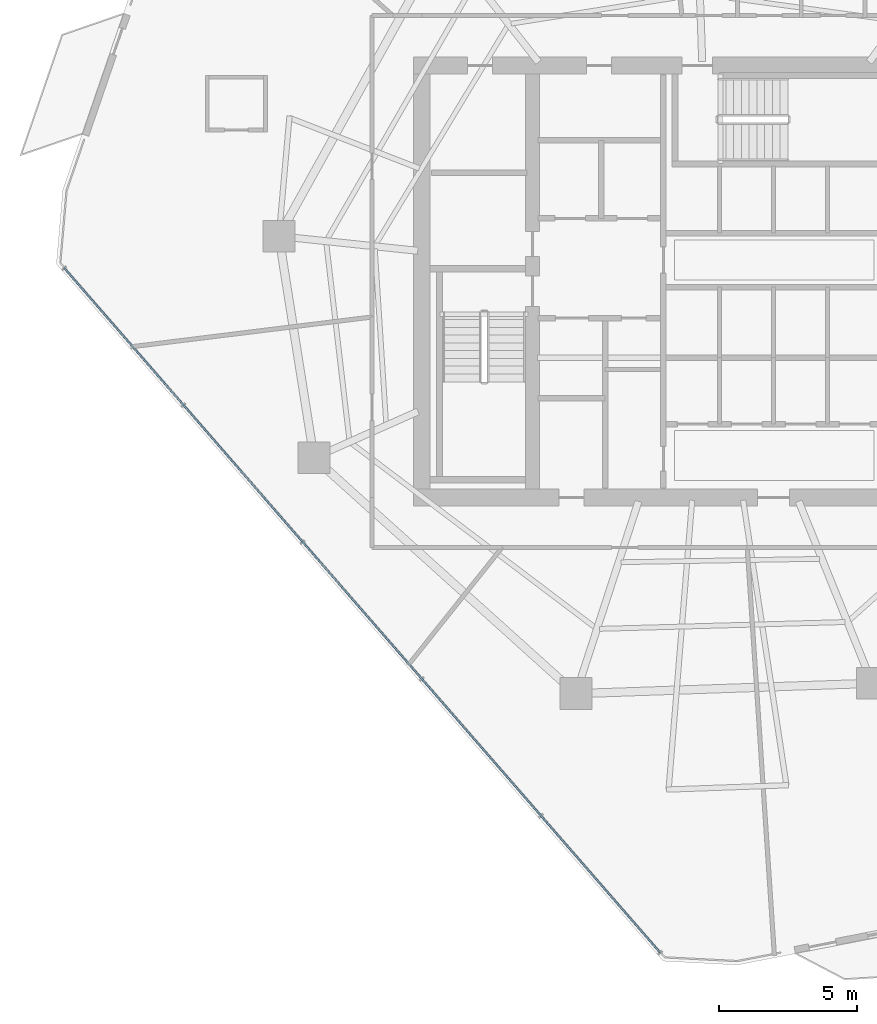
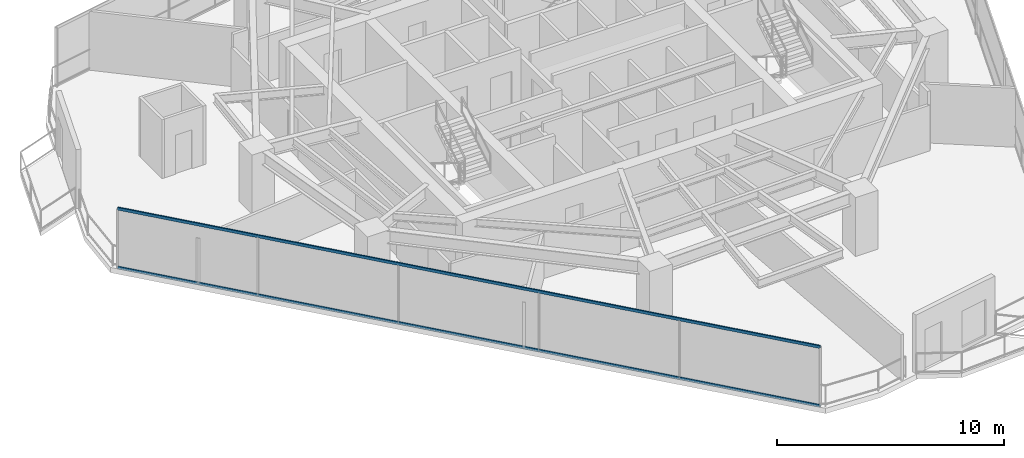
# One storey, part 3 of 27: 2 members, 1 element without a shape of its own.
"""IFC4 building model written with IfcOpenShell, lengths in metres."""

from ifc_helpers import new_model, si_unit, direction, frame, origin, origin_2d, place, context, subcontext, project, spatial, hollow_rectangle, extrude, material, layer, layer_set, material_profile, profile_set, type_object, element, aggregate, save


model = new_model("IFC4")

# Units and contexts
model_context = context("Model", 3, precision=1e-05, world=origin(), true_north=direction((0.0, 1.0)))
body_context = subcontext(model_context, "Body", "Model", "MODEL_VIEW")
ifc_project = project(units=[si_unit("LENGTHUNIT", "METRE"), si_unit("AREAUNIT", "SQUARE_METRE"), si_unit("VOLUMEUNIT", "CUBIC_METRE"), si_unit("PLANEANGLEUNIT", "RADIAN"), si_unit("MASSUNIT", "GRAM", prefix="KILO")], contexts=[model_context])

# Site, building, storey
site_placement = place(None, origin())
site = spatial("IfcSite", under=ifc_project, at=site_placement, CompositionType="ELEMENT")
building_placement = place(site_placement, origin())
building = spatial("IfcBuilding", under=site, at=building_placement, Name="Qarnah Convention Tower", CompositionType="ELEMENT")
storey_placement = place(building_placement, frame((0.0, 0.0, 107.39990234375)))
storey = spatial("IfcBuildingStorey", under=building, at=storey_placement, Name="L28", CompositionType="ELEMENT", Elevation=107.39990234375)

# Curtain wall, members
ifc_material_1 = material(Name="Tempered Low-E dark glass", Category="glass")
ifc_layer = layer(ifc_material_1, 0.169921875)
ifc_layer_set = layer_set([ifc_layer], Name="Tempered Low-E dark glass")
curtain_wall_type = type_object("IfcCurtainWallType", Name="CWS-02", PredefinedType="NOTDEFINED", material=ifc_layer_set)
curtain_wall_placement = place(storey_placement, origin())
curtain_wall = element("IfcCurtainWall", 1, at=curtain_wall_placement, inside=storey, type_object=curtain_wall_type, Name="L28 unitised curtain wall CW-L28-F3", PredefinedType="NOTDEFINED")
ifc_material_2 = material(Name="Black anodised aluminium", Category="aluminium")
ifc_material_profile = material_profile(ifc_material_2, hollow_rectangle(XDim=0.06494140625, YDim=0.14990234375, WallThickness=0.00390625, at=origin_2d()), Name="TRN-65X150")
ifc_profile_set = profile_set([ifc_material_profile], Name="Black anodised aluminium")
member_type = type_object("IfcMemberType", Name="TRN-T2", PredefinedType="USERDEFINED", material=ifc_profile_set)
member_1_placement = place(storey_placement, frame((35.405029296875, 2.162109375, 0.0), z_axis=(-0.656585461754, 0.754251636666, 0.0), x_axis=(-0.754251636666, -0.656585461754, 0.0)))
member_1 = element("IfcMember", 2, at=member_1_placement, type_object=member_type, Name="CW-L28-F3 transom 1", ObjectType="TRANSOM", PredefinedType="USERDEFINED", context=body_context, shape_type="SweptSolid", body=[
    extrude(hollow_rectangle(XDim=0.06494140625, YDim=0.14990234375, WallThickness=0.00390625, at=origin_2d()), origin(), (0.0, 0.0, 1.0), 32.774169921875),
])
member_2_placement = place(storey_placement, frame((35.405029296875, 2.162109375, 3.170166015625), z_axis=(-0.656585461754, 0.754251636666, 0.0), x_axis=(-0.754251636666, -0.656585461754, 0.0)))
member_2 = element("IfcMember", 3, at=member_2_placement, type_object=member_type, Name="CW-L28-F3 transom 2", ObjectType="TRANSOM", PredefinedType="USERDEFINED", context=body_context, shape_type="SweptSolid", body=[
    extrude(hollow_rectangle(XDim=0.06494140625, YDim=0.14990234375, WallThickness=0.00390625, at=origin_2d()), origin(), (0.0, 0.0, 1.0), 32.774169921875),
])
aggregate(curtain_wall, [member_1, member_2])

save(model, "model.ifc")
